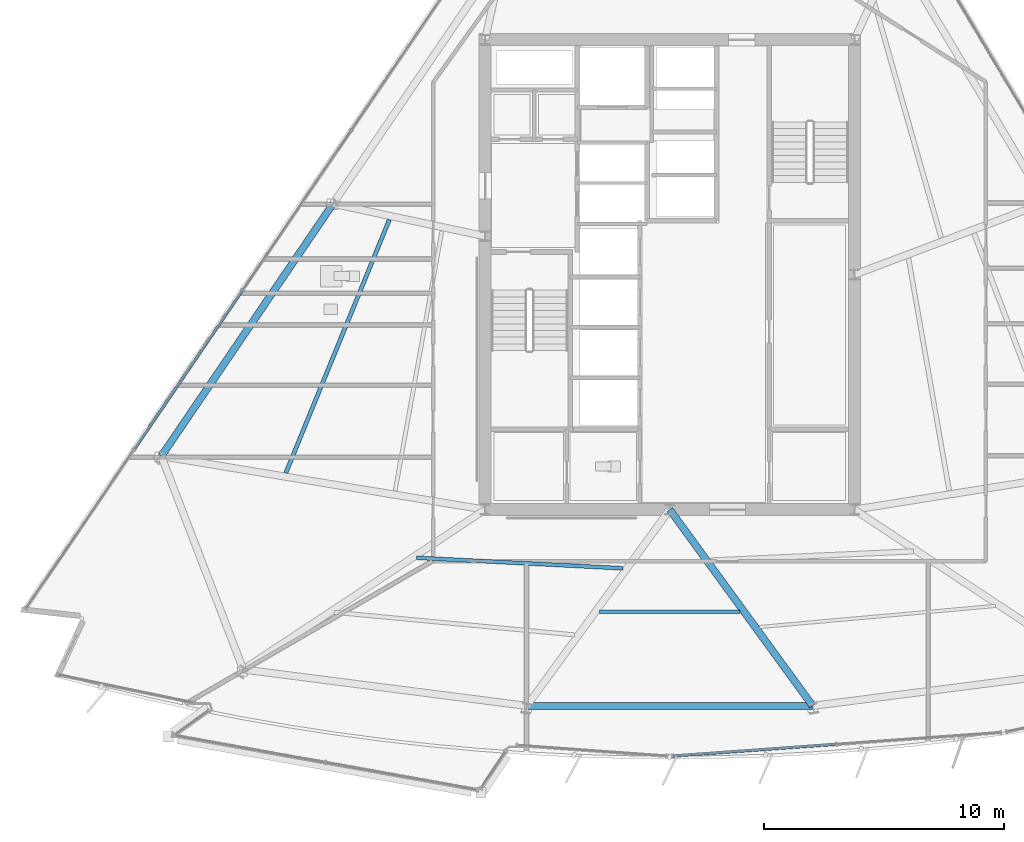
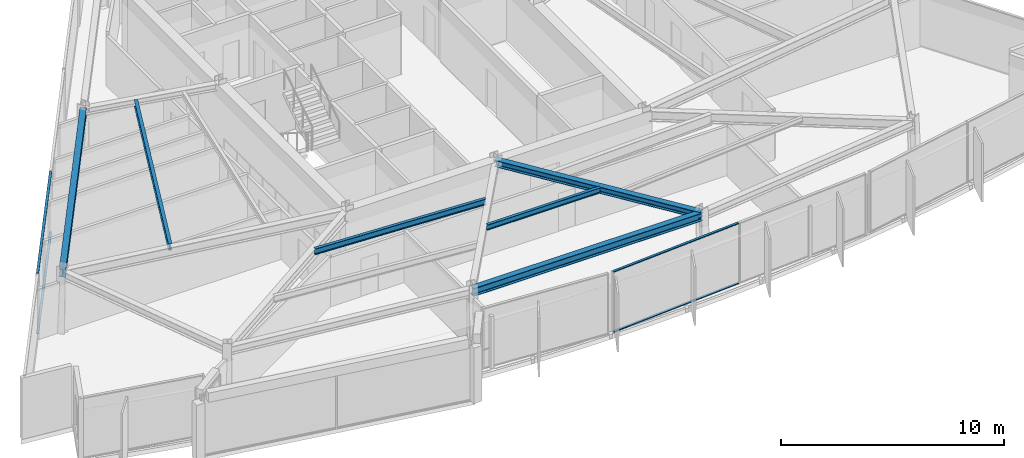
# One storey, part 3 of 16: 6 beams, 4 members, 2 elements without a shape of their own.
"""IFC4 building model written with IfcOpenShell, lengths in metres."""

from ifc_helpers import new_model, si_unit, direction, frame, origin, origin_2d, place, context, subcontext, project, spatial, rectangle, i_section, extrude, material, material_profile, profile_set, type_object, element, aggregate, save


model = new_model("IFC4")

# Units and contexts
model_context = context("Model", 3, precision=1e-05, world=origin(), true_north=direction((0.0, 1.0)))
body_context = subcontext(model_context, "Body", "Model", "MODEL_VIEW")
ifc_project = project(units=[si_unit("LENGTHUNIT", "METRE"), si_unit("AREAUNIT", "SQUARE_METRE"), si_unit("VOLUMEUNIT", "CUBIC_METRE"), si_unit("PLANEANGLEUNIT", "RADIAN"), si_unit("MASSUNIT", "GRAM", prefix="KILO")], contexts=[model_context])

# Site, building, storey
site_placement = place(None, origin())
site = spatial("IfcSite", under=ifc_project, at=site_placement, CompositionType="ELEMENT")
building_placement = place(site_placement, origin())
building = spatial("IfcBuilding", under=site, at=building_placement, Name="Savorim Split Tower", CompositionType="ELEMENT")
storey_placement = place(building_placement, frame((0.0, 0.0, 153.0)))
storey = spatial("IfcBuildingStorey", under=building, at=storey_placement, Name="L40", CompositionType="ELEMENT", Elevation=153.0)

# Beams
ifc_material_1 = material(Name="Steel S355", Category="steel")
ifc_material_profile_1 = material_profile(ifc_material_1, i_section(OverallWidth=0.14990234375, OverallDepth=0.300048828125, WebThickness=0.007080078125, FlangeThickness=0.0107421875, FilletRadius=0.014892578125, at=origin_2d()), Name="IPE 300")
ifc_profile_set_1 = profile_set([ifc_material_profile_1], Name="Steel S355")
beam_type_1 = type_object("IfcBeamType", Name="BM-JST-IPE300", PredefinedType="JOIST", material=ifc_profile_set_1)
beam_1_placement = place(storey_placement, frame((-2.939453125, -13.65625, 3.199951171875), z_axis=(1.0, 0.0, 0.0), x_axis=(0.0, 1.0, 0.0)))
element("IfcBeam", 1, at=beam_1_placement, inside=storey, type_object=beam_type_1, Name="L40 Secondary Floor Joist JS-03", PredefinedType="JOIST", context=body_context, shape_type="SweptSolid", body=[
    extrude(i_section(OverallWidth=0.14990234375, OverallDepth=0.300048828125, WebThickness=0.007080078125, FlangeThickness=0.0107421875, FilletRadius=0.014892578125, at=origin_2d()), origin(), (0.0, 0.0, 1.0), 5.87890625),
])
ifc_material_profile_2 = material_profile(ifc_material_1, i_section(OverallWidth=0.159912109375, OverallDepth=0.330078125, WebThickness=0.007568359375, FlangeThickness=0.011474609375, FilletRadius=0.01806640625, at=origin_2d()), Name="IPE 330")
ifc_profile_set_2 = profile_set([ifc_material_profile_2], Name="Steel S355")
beam_type_2 = type_object("IfcBeamType", Name="BM-JST-IPE330", PredefinedType="JOIST", material=ifc_profile_set_2)
beam_2_placement = place(storey_placement, frame((-10.565673828125, -11.408203125, 3.18505859375), z_axis=(0.998703755083, -0.050899995903, 0.0), x_axis=(0.050899995903, 0.998703755083, 0.0)))
element("IfcBeam", 2, at=beam_2_placement, inside=storey, type_object=beam_type_2, Name="L40 Secondary Floor Joist JS-02", PredefinedType="JOIST", context=body_context, shape_type="SweptSolid", body=[
    extrude(i_section(OverallWidth=0.159912109375, OverallDepth=0.330078125, WebThickness=0.007568359375, FlangeThickness=0.011474609375, FilletRadius=0.01806640625, at=origin_2d()), origin(), (0.0, 0.0, 1.0), 8.62890625),
])
ifc_material_profile_3 = material_profile(ifc_material_1, i_section(OverallWidth=0.169921875, OverallDepth=0.360107421875, WebThickness=0.008056640625, FlangeThickness=0.0126953125, FilletRadius=0.01806640625, at=origin_2d()), Name="IPE 360")
ifc_profile_set_3 = profile_set([ifc_material_profile_3], Name="Steel S355")
beam_type_3 = type_object("IfcBeamType", Name="BM-JST-IPE360", PredefinedType="JOIST", material=ifc_profile_set_3)
beam_3_placement = place(storey_placement, frame((-11.693359375, 2.692626953125, 3.169921875), z_axis=(-0.378426213836, -0.925631460508, 0.0), x_axis=(0.925631460508, -0.378426213836, 0.0)))
element("IfcBeam", 3, at=beam_3_placement, inside=storey, type_object=beam_type_3, Name="L40 Secondary Floor Joist JS-10", PredefinedType="JOIST", context=body_context, shape_type="SweptSolid", body=[
    extrude(i_section(OverallWidth=0.169921875, OverallDepth=0.360107421875, WebThickness=0.008056640625, FlangeThickness=0.0126953125, FilletRadius=0.01806640625, at=origin_2d()), origin(), (0.0, 0.0, 1.0), 11.41015625),
])
ifc_material_profile_4 = material_profile(ifc_material_1, i_section(OverallWidth=0.300048828125, OverallDepth=0.360107421875, WebThickness=0.012451171875, FlangeThickness=0.0224609375, FilletRadius=0.027099609375, at=origin_2d()), Name="HEB 360")
ifc_profile_set_4 = profile_set([ifc_material_profile_4], Name="Steel S355")
beam_type_4 = type_object("IfcBeamType", Name="BM-PRI-HEB360", PredefinedType="BEAM", material=ifc_profile_set_4)
beam_4_placement = place(storey_placement, frame((5.960693359375, -17.585205078125, 3.169921875), z_axis=(-0.588671922526, 0.808372047779, 0.0), x_axis=(-0.808372047779, -0.588671922526, 0.0)))
element("IfcBeam", 4, at=beam_4_placement, inside=storey, type_object=beam_type_4, Name="L40 Primary Floor Girder RG-03", PredefinedType="BEAM", context=body_context, shape_type="SweptSolid", body=[
    extrude(i_section(OverallWidth=0.300048828125, OverallDepth=0.360107421875, WebThickness=0.012451171875, FlangeThickness=0.0224609375, FilletRadius=0.027099609375, at=origin_2d()), origin(), (0.0, 0.0, 1.0), 10.125732421875),
])
ifc_material_profile_5 = material_profile(ifc_material_1, i_section(OverallWidth=0.300048828125, OverallDepth=0.43994140625, WebThickness=0.011474609375, FlangeThickness=0.02099609375, FilletRadius=0.027099609375, at=origin_2d()), Name="HEA 450")
ifc_profile_set_5 = profile_set([ifc_material_profile_5], Name="Steel S355")
beam_type_5 = type_object("IfcBeamType", Name="BM-SPN-HEA450", PredefinedType="SPANDREL", material=ifc_profile_set_5)
beam_5_placement = place(storey_placement, frame((-5.960693359375, -17.585205078125, 3.1298828125), z_axis=(1.0, 0.0, 0.0), x_axis=(0.0, 1.0, 0.0)))
element("IfcBeam", 5, at=beam_5_placement, inside=storey, type_object=beam_type_5, Name="L40 Perimeter Spandrel Beam 2", PredefinedType="SPANDREL", context=body_context, shape_type="SweptSolid", body=[
    extrude(i_section(OverallWidth=0.300048828125, OverallDepth=0.43994140625, WebThickness=0.011474609375, FlangeThickness=0.02099609375, FilletRadius=0.027099609375, at=origin_2d()), origin(), (0.0, 0.0, 1.0), 11.92138671875),
])
beam_6_placement = place(storey_placement, frame((-14.04296875, 3.35595703125, 3.1298828125), z_axis=(-0.562461093474, -0.826823752881, 0.0), x_axis=(0.826823752881, -0.562461093474, 0.0)))
element("IfcBeam", 6, at=beam_6_placement, inside=storey, type_object=beam_type_5, Name="L40 Perimeter Spandrel Beam 9", PredefinedType="SPANDREL", context=body_context, shape_type="SweptSolid", body=[
    extrude(i_section(OverallWidth=0.300048828125, OverallDepth=0.43994140625, WebThickness=0.011474609375, FlangeThickness=0.02099609375, FilletRadius=0.027099609375, at=origin_2d()), origin(), (0.0, 0.0, 1.0), 12.7294921875),
])

# Curtain wall, members
ifc_material_2 = material(Name="Dark Ceramic-Fritted Insulated Glass", Category="glass")
curtain_wall_type = type_object("IfcCurtainWallType", Name="CW-TWR-FRIT-B", PredefinedType="NOTDEFINED", material=ifc_material_2)
curtain_wall_1_placement = place(storey_placement, origin())
curtain_wall_1 = element("IfcCurtainWall", 7, at=curtain_wall_1_placement, inside=storey, type_object=curtain_wall_type, Name="L40 Curtain Wall CW-L40-SF3A", PredefinedType="NOTDEFINED")
ifc_material_3 = material(Name="Charcoal Anodised Aluminium", Category="aluminium")
ifc_material_profile_6 = material_profile(ifc_material_3, rectangle(XDim=0.1201171875, YDim=0.050048828125, at=origin_2d()), Name="ALU-T 120x50")
ifc_profile_set_6 = profile_set([ifc_material_profile_6], Name="Charcoal Anodised Aluminium")
member_type = type_object("IfcMemberType", Name="CWT-120x50", PredefinedType="USERDEFINED", material=ifc_profile_set_6)
member_1_placement = place(storey_placement, frame((0.151123046875, -19.67041015625, 0.02490234375), z_axis=(0.99743787546, 0.071537994092, 0.0), x_axis=(-0.071537994092, 0.99743787546, 0.0)))
member_1 = element("IfcMember", 8, at=member_1_placement, type_object=member_type, Name="CW-03 transom 1.1", ObjectType="TRANSOM", PredefinedType="USERDEFINED", context=body_context, shape_type="SweptSolid", body=[
    extrude(rectangle(XDim=0.1201171875, YDim=0.050048828125, at=origin_2d()), origin(), (0.0, 0.0, 1.0), 6.798095703125),
])
member_2_placement = place(storey_placement, frame((0.151123046875, -19.67041015625, 3.324951171875), z_axis=(0.99743787546, 0.071537994092, 0.0), x_axis=(-0.071537994092, 0.99743787546, 0.0)))
member_2 = element("IfcMember", 9, at=member_2_placement, type_object=member_type, Name="CW-03 transom 1.2", ObjectType="TRANSOM", PredefinedType="USERDEFINED", context=body_context, shape_type="SweptSolid", body=[
    extrude(rectangle(XDim=0.1201171875, YDim=0.050048828125, at=origin_2d()), origin(), (0.0, 0.0, 1.0), 6.798095703125),
])
aggregate(curtain_wall_1, [member_1, member_2])

curtain_wall_2_placement = place(storey_placement, origin())
curtain_wall_2 = element("IfcCurtainWall", 10, at=curtain_wall_2_placement, inside=storey, type_object=curtain_wall_type, Name="L40 Curtain Wall CW-L40-WEST", PredefinedType="NOTDEFINED")
member_3_placement = place(storey_placement, frame((-17.829345703125, -0.264892578125, 0.02490234375), z_axis=(-0.56246201247, -0.826823127717, 0.0), x_axis=(0.826823127717, -0.56246201247, 0.0)))
member_3 = element("IfcMember", 11, at=member_3_placement, type_object=member_type, Name="CW-03 transom 3.1", ObjectType="TRANSOM", PredefinedType="USERDEFINED", context=body_context, shape_type="SweptSolid", body=[
    extrude(rectangle(XDim=0.1201171875, YDim=0.050048828125, at=origin_2d()), origin(), (0.0, 0.0, 1.0), 7.995849609375),
])
member_4_placement = place(storey_placement, frame((-17.829345703125, -0.264892578125, 3.324951171875), z_axis=(-0.56246201247, -0.826823127717, 0.0), x_axis=(0.826823127717, -0.56246201247, 0.0)))
member_4 = element("IfcMember", 12, at=member_4_placement, type_object=member_type, Name="CW-03 transom 3.2", ObjectType="TRANSOM", PredefinedType="USERDEFINED", context=body_context, shape_type="SweptSolid", body=[
    extrude(rectangle(XDim=0.1201171875, YDim=0.050048828125, at=origin_2d()), origin(), (0.0, 0.0, 1.0), 7.995849609375),
])
aggregate(curtain_wall_2, [member_3, member_4])

save(model, "model.ifc")
